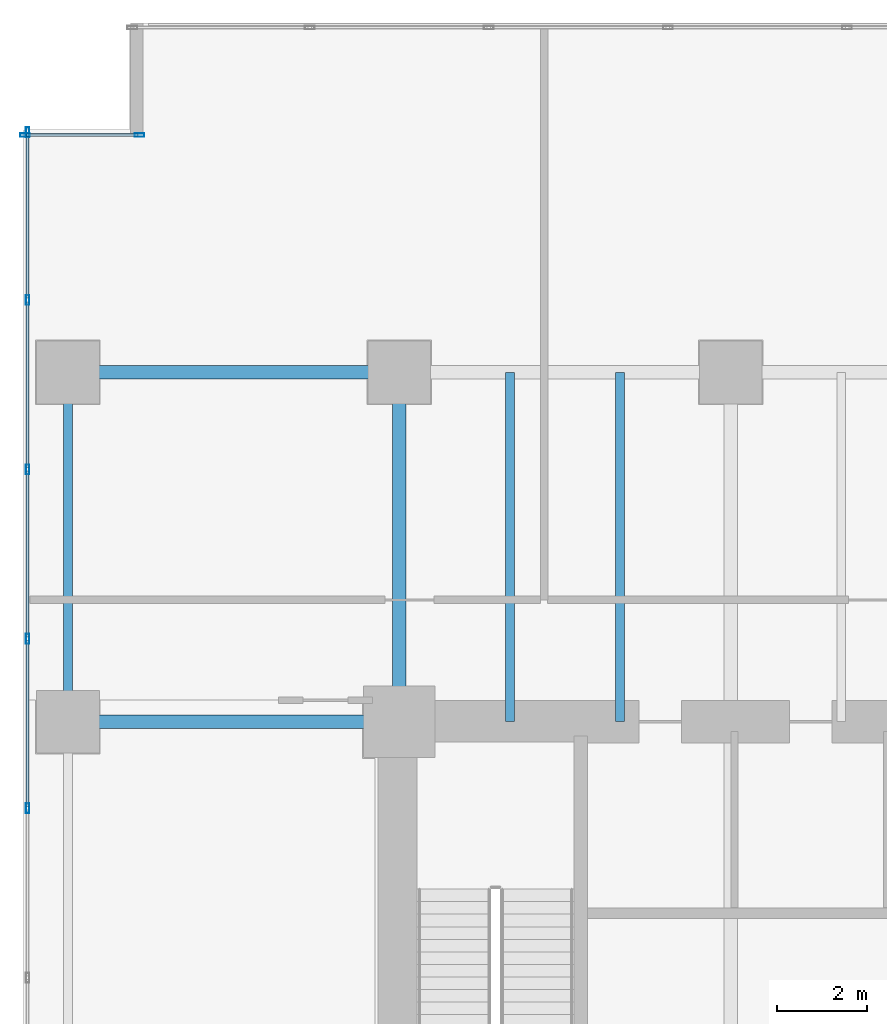
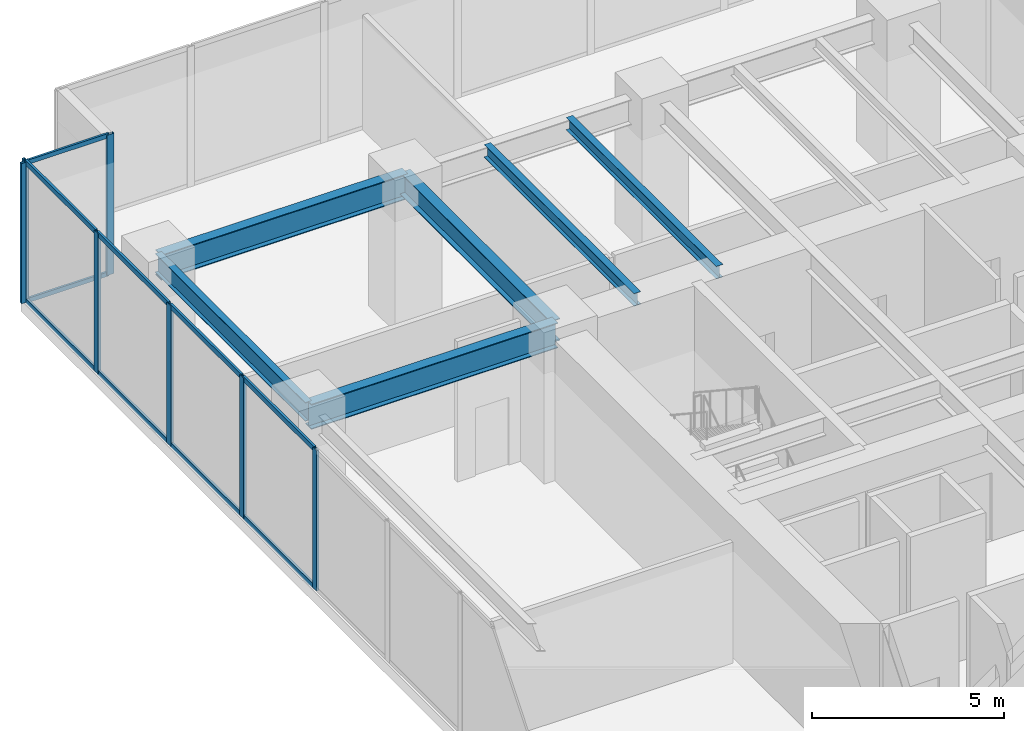
# One storey, part 12 of 33: 17 members, 6 beams, 2 elements without a shape of their own.
"""IFC4 building model written with IfcOpenShell, lengths in metres."""

from ifc_helpers import new_model, si_unit, direction, frame, origin, origin_2d, place, context, subcontext, project, spatial, hollow_rectangle, i_section, extrude, source, transform, mapped, material, layer, layer_set, material_profile, profile_set, type_object, type_shapes, element, aggregate, save


model = new_model("IFC4")

# Units and contexts
model_context = context("Model", 3, precision=1e-05, world=origin(), true_north=direction((0.0, 1.0)))
body_context = subcontext(model_context, "Body", "Model", "MODEL_VIEW")
ifc_project = project(units=[si_unit("LENGTHUNIT", "METRE"), si_unit("AREAUNIT", "SQUARE_METRE"), si_unit("VOLUMEUNIT", "CUBIC_METRE"), si_unit("PLANEANGLEUNIT", "RADIAN"), si_unit("MASSUNIT", "GRAM", prefix="KILO")], contexts=[model_context])

# Site, building, storey
site_placement = place(None, origin())
site = spatial("IfcSite", under=ifc_project, at=site_placement, CompositionType="ELEMENT")
building_placement = place(site_placement, origin())
building = spatial("IfcBuilding", under=site, at=building_placement, Name="Haelvirn Gate Laboratories", CompositionType="ELEMENT")
storey_placement = place(building_placement, frame((0.0, 0.0, 10.199951171875)))
storey = spatial("IfcBuildingStorey", under=building, at=storey_placement, Name="L03", CompositionType="ELEMENT", Elevation=10.199951171875)

# Beams
ifc_material_1 = material(Name="Steel SM420", Category="steel")
ifc_material_profile_1 = material_profile(ifc_material_1, i_section(OverallWidth=0.300048828125, OverallDepth=0.800048828125, WebThickness=0.013916015625, FlangeThickness=0.02587890625, at=origin_2d()), Name="H-800x300x14x26")
ifc_profile_set_1 = profile_set([ifc_material_profile_1], Name="Steel SM420")
beam_type_1 = type_object("IfcBeamType", Name="BM-G-800", PredefinedType="BEAM", material=ifc_profile_set_1)
shared_shape_1 = source(origin(), body_context, "Body", "SweptSolid", [
    extrude(i_section(OverallWidth=0.300048828125, OverallDepth=0.800048828125, WebThickness=0.013916015625, FlangeThickness=0.02587890625, at=origin_2d()), origin(), (0.0, 0.0, 1.0), 7.39990234375),
])
type_shapes(beam_type_1, [shared_shape_1])
for number, where, z_axis, x_axis, name in (
    (1, (0.0, 33.800048828125, 4.050048828125), (1.0, 0.0, 0.0), (0.0, 1.0, 0.0), "L03 Primary Girder Y33.8 (0.0-7.4)"),
    (2, (0.0, 41.60009765625, 4.050048828125), (1.0, 0.0, 0.0), (0.0, 1.0, 0.0), "L03 Primary Girder Y41.6 (0.0-7.4)"),
):
    element("IfcBeam", number, at=place(storey_placement, frame(where, z_axis=z_axis, x_axis=x_axis)), inside=storey, type_object=beam_type_1, Name=name, PredefinedType="BEAM", context=body_context, shape_type="MappedRepresentation", body=[
        mapped(shared_shape_1, transform((0.0, 0.0, 0.0), scale=1.0)),
    ])
ifc_material_2 = material(Name="Steel SM355", Category="steel")
ifc_material_profile_2 = material_profile(ifc_material_2, i_section(OverallWidth=0.199951171875, OverallDepth=0.60009765625, WebThickness=0.010986328125, FlangeThickness=0.01708984375, at=origin_2d()), Name="H-600x200x11x17")
ifc_profile_set_2 = profile_set([ifc_material_profile_2], Name="Steel SM355")
beam_type_2 = type_object("IfcBeamType", Name="BM-SP-600", PredefinedType="SPANDREL", material=ifc_profile_set_2)
shared_shape_2 = source(origin(), body_context, "Body", "SweptSolid", [
    extrude(i_section(OverallWidth=0.199951171875, OverallDepth=0.60009765625, WebThickness=0.010986328125, FlangeThickness=0.01708984375, at=origin_2d()), origin(), (0.0, 0.0, 1.0), 7.800048828125),
])
type_shapes(beam_type_2, [shared_shape_2])
beam_1_placement = place(storey_placement, frame((0.0, 33.800048828125, 4.150146484375), z_axis=(0.0, 1.0, 0.0), x_axis=(-1.0, 0.0, 0.0)))
element("IfcBeam", 3, at=beam_1_placement, inside=storey, type_object=beam_type_2, Name="L03 Perimeter Spandrel X0.0 (33.8-41.6)", PredefinedType="SPANDREL", context=body_context, shape_type="MappedRepresentation", body=[
    mapped(shared_shape_2, transform((0.0, 0.0, 0.0), scale=1.0)),
])
ifc_material_profile_3 = material_profile(ifc_material_2, i_section(OverallWidth=0.199951171875, OverallDepth=0.39990234375, WebThickness=0.008056640625, FlangeThickness=0.012939453125, at=origin_2d()), Name="H-400x200x8x13")
ifc_profile_set_3 = profile_set([ifc_material_profile_3], Name="Steel SM355")
beam_type_3 = type_object("IfcBeamType", Name="BM-J-400", PredefinedType="JOIST", material=ifc_profile_set_3)
shared_shape_3 = source(origin(), body_context, "Body", "SweptSolid", [
    extrude(i_section(OverallWidth=0.199951171875, OverallDepth=0.39990234375, WebThickness=0.008056640625, FlangeThickness=0.012939453125, at=origin_2d()), origin(), (0.0, 0.0, 1.0), 7.800048828125),
])
type_shapes(beam_type_3, [shared_shape_3])
for number, where, z_axis, x_axis, name in (
    (4, (9.8701171875, 33.800048828125, 4.25), (0.0, 1.0, 0.0), (-1.0, 0.0, 0.0), "L03 Composite Lab Joist North X9.87"),
    (5, (12.330078125, 33.800048828125, 4.25), (0.0, 1.0, 0.0), (-1.0, 0.0, 0.0), "L03 Composite Lab Joist North X12.33"),
):
    element("IfcBeam", number, at=place(storey_placement, frame(where, z_axis=z_axis, x_axis=x_axis)), inside=storey, type_object=beam_type_3, Name=name, PredefinedType="JOIST", context=body_context, shape_type="MappedRepresentation", body=[
        mapped(shared_shape_3, transform((0.0, 0.0, 0.0), scale=1.0)),
    ])
ifc_material_profile_4 = material_profile(ifc_material_2, i_section(OverallWidth=0.300048828125, OverallDepth=0.699951171875, WebThickness=0.012939453125, FlangeThickness=0.02392578125, at=origin_2d()), Name="H-700x300x13x24")
ifc_profile_set_4 = profile_set([ifc_material_profile_4], Name="Steel SM355")
beam_type_4 = type_object("IfcBeamType", Name="BM-G-700", PredefinedType="BEAM", material=ifc_profile_set_4)
shared_shape_4 = source(origin(), body_context, "Body", "SweptSolid", [
    extrude(i_section(OverallWidth=0.300048828125, OverallDepth=0.699951171875, WebThickness=0.012939453125, FlangeThickness=0.02392578125, at=origin_2d()), origin(), (0.0, 0.0, 1.0), 7.800048828125),
])
type_shapes(beam_type_4, [shared_shape_4])
beam_2_placement = place(storey_placement, frame((7.39990234375, 33.800048828125, 4.10009765625), z_axis=(0.0, 1.0, 0.0), x_axis=(-1.0, 0.0, 0.0)))
element("IfcBeam", 6, at=beam_2_placement, inside=storey, type_object=beam_type_4, Name="L03 Frame Girder X7.4 (33.8-41.6)", PredefinedType="BEAM", context=body_context, shape_type="MappedRepresentation", body=[
    mapped(shared_shape_4, transform((0.0, 0.0, 0.0), scale=1.0)),
])

# Curtain wall, members
ifc_material_3 = material(Name="Anodised bronze unitised aluminium & triple low-E glass", Category="aluminium")
ifc_layer_1 = layer(ifc_material_3, 0.181884765625, Name="CW-SYS-5")
ifc_layer_set_1 = layer_set([ifc_layer_1], Name="Anodised bronze unitised aluminium & triple low-E glass")
curtain_wall_type_1 = type_object("IfcCurtainWallType", Name="CW-SYS-5", PredefinedType="NOTDEFINED", material=ifc_layer_set_1)
curtain_wall_1_placement = place(storey_placement, origin())
curtain_wall_1 = element("IfcCurtainWall", 7, at=curtain_wall_1_placement, inside=storey, type_object=curtain_wall_type_1, Name="L03 Unitised Curtain Wall CW-L03-P0-E04-1", PredefinedType="NOTDEFINED")
ifc_material_4 = material(Name="Extruded aluminium 6063-T6 (anodised bronze)", Category="aluminium")
ifc_material_profile_5 = material_profile(ifc_material_4, hollow_rectangle(XDim=0.06494140625, YDim=0.139892578125, WallThickness=0.00390625, at=origin_2d()), Name="CWT-140x65x4")
ifc_profile_set_5 = profile_set([ifc_material_profile_5], Name="Extruded aluminium 6063-T6 (anodised bronze)")
member_type_1 = type_object("IfcMemberType", Name="CWT-T140", PredefinedType="USERDEFINED", material=ifc_profile_set_5)
shared_shape_5 = source(origin(), body_context, "Body", "SweptSolid", [
    extrude(hollow_rectangle(XDim=0.06494140625, YDim=0.139892578125, WallThickness=0.00390625, at=origin_2d()), origin(), (0.0, 0.0, 1.0), 2.47998046875),
])
type_shapes(member_type_1, [shared_shape_5])
member_1_placement = place(storey_placement, frame((-0.919921875, 46.89990234375, 0.032470703125), z_axis=(1.0, 0.0, 0.0), x_axis=(0.0, 1.0, 0.0)))
member_1 = element("IfcMember", 8, at=member_1_placement, type_object=member_type_1, Name="CW5 transom 1.1", ObjectType="TRANSOM", PredefinedType="USERDEFINED", context=body_context, shape_type="MappedRepresentation", body=[
    mapped(shared_shape_5, transform((0.0, 0.0, 0.0), scale=1.0)),
])
member_2_placement = place(storey_placement, frame((-0.919921875, 46.89990234375, 4.41748046875), z_axis=(1.0, 0.0, 0.0), x_axis=(0.0, 1.0, 0.0)))
member_2 = element("IfcMember", 9, at=member_2_placement, type_object=member_type_1, Name="CW5 transom 1.2", ObjectType="TRANSOM", PredefinedType="USERDEFINED", context=body_context, shape_type="MappedRepresentation", body=[
    mapped(shared_shape_5, transform((0.0, 0.0, 0.0), scale=1.0)),
])

ifc_layer_2 = layer(ifc_material_3, 0.18798828125, Name="CW-SYS-1")
ifc_layer_set_2 = layer_set([ifc_layer_2], Name="Anodised bronze unitised aluminium & triple low-E glass")
curtain_wall_type_2 = type_object("IfcCurtainWallType", Name="CW-SYS-1", PredefinedType="NOTDEFINED", material=ifc_layer_set_2)
curtain_wall_2_placement = place(storey_placement, origin())
curtain_wall_2 = element("IfcCurtainWall", 10, at=curtain_wall_2_placement, inside=storey, type_object=curtain_wall_type_2, Name="L03 Unitised Curtain Wall CW-L03-P0-E05", PredefinedType="NOTDEFINED")
ifc_material_profile_6 = material_profile(ifc_material_4, hollow_rectangle(XDim=0.070068359375, YDim=0.159912109375, WallThickness=0.0048828125, at=origin_2d()), Name="CWT-160x70x5")
ifc_profile_set_6 = profile_set([ifc_material_profile_6], Name="Extruded aluminium 6063-T6 (anodised bronze)")
member_type_2 = type_object("IfcMemberType", Name="CWT-T160", PredefinedType="USERDEFINED", material=ifc_profile_set_6)
shared_shape_6 = source(origin(), body_context, "Body", "SweptSolid", [
    extrude(hollow_rectangle(XDim=0.070068359375, YDim=0.159912109375, WallThickness=0.0048828125, at=origin_2d()), origin(), (0.0, 0.0, 1.0), 3.663330078125),
])
member_3_placement = place(storey_placement, frame((-0.89990234375, 46.919921875, 0.03515625), z_axis=(0.0, -1.0, 0.0), x_axis=(1.0, 0.0, 0.0)))
member_3 = element("IfcMember", 11, at=member_3_placement, type_object=member_type_2, Name="CW1 transom 1.1", ObjectType="TRANSOM", PredefinedType="USERDEFINED", context=body_context, shape_type="MappedRepresentation", body=[
    mapped(shared_shape_6, transform((0.0, 0.0, 0.0), scale=1.0)),
])
member_4_placement = place(storey_placement, frame((-0.89990234375, 46.919921875, 4.4150390625), z_axis=(0.0, -1.0, 0.0), x_axis=(1.0, 0.0, 0.0)))
member_4 = element("IfcMember", 12, at=member_4_placement, type_object=member_type_2, Name="CW1 transom 1.2", ObjectType="TRANSOM", PredefinedType="USERDEFINED", context=body_context, shape_type="MappedRepresentation", body=[
    mapped(shared_shape_6, transform((0.0, 0.0, 0.0), scale=1.0)),
])
shared_shape_7 = source(origin(), body_context, "Body", "SweptSolid", [
    extrude(hollow_rectangle(XDim=0.070068359375, YDim=0.159912109375, WallThickness=0.0048828125, at=origin_2d()), origin(), (0.0, 0.0, 1.0), 3.703369140625),
])
type_shapes(member_type_2, [shared_shape_6, shared_shape_7])
member_5_placement = place(storey_placement, frame((-0.89990234375, 43.1767578125, 0.03515625), z_axis=(0.0, -1.0, 0.0), x_axis=(1.0, 0.0, 0.0)))
member_5 = element("IfcMember", 13, at=member_5_placement, type_object=member_type_2, Name="CW1 transom 2.1", ObjectType="TRANSOM", PredefinedType="USERDEFINED", context=body_context, shape_type="MappedRepresentation", body=[
    mapped(shared_shape_7, transform((0.0, 0.0, 0.0), scale=1.0)),
])
member_6_placement = place(storey_placement, frame((-0.89990234375, 43.1767578125, 4.4150390625), z_axis=(0.0, -1.0, 0.0), x_axis=(1.0, 0.0, 0.0)))
member_6 = element("IfcMember", 14, at=member_6_placement, type_object=member_type_2, Name="CW1 transom 2.2", ObjectType="TRANSOM", PredefinedType="USERDEFINED", context=body_context, shape_type="MappedRepresentation", body=[
    mapped(shared_shape_7, transform((0.0, 0.0, 0.0), scale=1.0)),
])
member_7_placement = place(storey_placement, frame((-0.89990234375, 39.393310546875, 0.03515625), z_axis=(0.0, -1.0, 0.0), x_axis=(1.0, 0.0, 0.0)))
member_7 = element("IfcMember", 15, at=member_7_placement, type_object=member_type_2, Name="CW1 transom 3.1", ObjectType="TRANSOM", PredefinedType="USERDEFINED", context=body_context, shape_type="MappedRepresentation", body=[
    mapped(shared_shape_7, transform((0.0, 0.0, 0.0), scale=1.0)),
])
member_8_placement = place(storey_placement, frame((-0.89990234375, 39.393310546875, 4.4150390625), z_axis=(0.0, -1.0, 0.0), x_axis=(1.0, 0.0, 0.0)))
member_8 = element("IfcMember", 16, at=member_8_placement, type_object=member_type_2, Name="CW1 transom 3.2", ObjectType="TRANSOM", PredefinedType="USERDEFINED", context=body_context, shape_type="MappedRepresentation", body=[
    mapped(shared_shape_7, transform((0.0, 0.0, 0.0), scale=1.0)),
])
member_9_placement = place(storey_placement, frame((-0.89990234375, 35.610107421875, 0.03515625), z_axis=(0.0, -1.0, 0.0), x_axis=(1.0, 0.0, 0.0)))
member_9 = element("IfcMember", 17, at=member_9_placement, type_object=member_type_2, Name="CW1 transom 4.1", ObjectType="TRANSOM", PredefinedType="USERDEFINED", context=body_context, shape_type="MappedRepresentation", body=[
    mapped(shared_shape_7, transform((0.0, 0.0, 0.0), scale=1.0)),
])
member_10_placement = place(storey_placement, frame((-0.89990234375, 35.610107421875, 4.4150390625), z_axis=(0.0, -1.0, 0.0), x_axis=(1.0, 0.0, 0.0)))
member_10 = element("IfcMember", 18, at=member_10_placement, type_object=member_type_2, Name="CW1 transom 4.2", ObjectType="TRANSOM", PredefinedType="USERDEFINED", context=body_context, shape_type="MappedRepresentation", body=[
    mapped(shared_shape_7, transform((0.0, 0.0, 0.0), scale=1.0)),
])

# Member
ifc_material_profile_7 = material_profile(ifc_material_4, hollow_rectangle(XDim=0.080078125, YDim=0.219970703125, WallThickness=0.006103515625, at=origin_2d()), Name="CWM-220x80x6")
ifc_profile_set_7 = profile_set([ifc_material_profile_7], Name="Extruded aluminium 6063-T6 (anodised bronze)")
member_type_3 = type_object("IfcMemberType", Name="CWM-T220", PredefinedType="MULLION", material=ifc_profile_set_7)
shared_shape_8 = source(origin(), body_context, "Body", "SweptSolid", [
    extrude(hollow_rectangle(XDim=0.080078125, YDim=0.219970703125, WallThickness=0.006103515625, at=origin_2d()), origin(), (0.0, 0.0, 1.0), 4.449951171875),
])
type_shapes(member_type_3, [shared_shape_8])
member_11_placement = place(storey_placement, frame((-0.9599609375, 46.89990234375, 0.0), z_axis=(0.0, 0.0, 1.0), x_axis=(0.0, 1.0, 0.0)))
member_11 = element("IfcMember", 19, at=member_11_placement, type_object=member_type_3, Name="CW5 mullion 1", PredefinedType="MULLION", context=body_context, shape_type="MappedRepresentation", body=[
    mapped(shared_shape_8, transform((0.0, 0.0, 0.0), scale=1.0)),
])

member_12_placement = place(storey_placement, frame((1.60009765625, 46.89990234375, 0.0), z_axis=(0.0, 0.0, 1.0), x_axis=(0.0, 1.0, 0.0)))
member_12 = element("IfcMember", 20, at=member_12_placement, type_object=member_type_3, Name="CW5 mullion 2", PredefinedType="MULLION", context=body_context, shape_type="MappedRepresentation", body=[
    mapped(shared_shape_8, transform((0.0, 0.0, 0.0), scale=1.0)),
])

aggregate(curtain_wall_1, [member_11, member_12, member_1, member_2])

member_13_placement = place(storey_placement, frame((-0.89990234375, 46.9599609375, 0.0), z_axis=(0.0, 0.0, 1.0), x_axis=(1.0, 0.0, 0.0)))
member_13 = element("IfcMember", 21, at=member_13_placement, type_object=member_type_3, Name="CW1 mullion 1", PredefinedType="MULLION", context=body_context, shape_type="MappedRepresentation", body=[
    mapped(shared_shape_8, transform((0.0, 0.0, 0.0), scale=1.0)),
])

member_14_placement = place(storey_placement, frame((-0.89990234375, 43.216552734375, 0.0), z_axis=(0.0, 0.0, 1.0), x_axis=(1.0, 0.0, 0.0)))
member_14 = element("IfcMember", 22, at=member_14_placement, type_object=member_type_3, Name="CW1 mullion 2", PredefinedType="MULLION", context=body_context, shape_type="MappedRepresentation", body=[
    mapped(shared_shape_8, transform((0.0, 0.0, 0.0), scale=1.0)),
])

member_15_placement = place(storey_placement, frame((-0.89990234375, 39.433349609375, 0.0), z_axis=(0.0, 0.0, 1.0), x_axis=(1.0, 0.0, 0.0)))
member_15 = element("IfcMember", 23, at=member_15_placement, type_object=member_type_3, Name="CW1 mullion 3", PredefinedType="MULLION", context=body_context, shape_type="MappedRepresentation", body=[
    mapped(shared_shape_8, transform((0.0, 0.0, 0.0), scale=1.0)),
])

member_16_placement = place(storey_placement, frame((-0.89990234375, 35.64990234375, 0.0), z_axis=(0.0, 0.0, 1.0), x_axis=(1.0, 0.0, 0.0)))
member_16 = element("IfcMember", 24, at=member_16_placement, type_object=member_type_3, Name="CW1 mullion 4", PredefinedType="MULLION", context=body_context, shape_type="MappedRepresentation", body=[
    mapped(shared_shape_8, transform((0.0, 0.0, 0.0), scale=1.0)),
])

member_17_placement = place(storey_placement, frame((-0.89990234375, 31.86669921875, 0.0), z_axis=(0.0, 0.0, 1.0), x_axis=(1.0, 0.0, 0.0)))
member_17 = element("IfcMember", 25, at=member_17_placement, type_object=member_type_3, Name="CW1 mullion 5", PredefinedType="MULLION", context=body_context, shape_type="MappedRepresentation", body=[
    mapped(shared_shape_8, transform((0.0, 0.0, 0.0), scale=1.0)),
])

aggregate(curtain_wall_2, [member_13, member_14, member_15, member_16, member_17, member_3, member_4, member_5, member_6, member_7, member_8, member_9, member_10])

save(model, "model.ifc")
